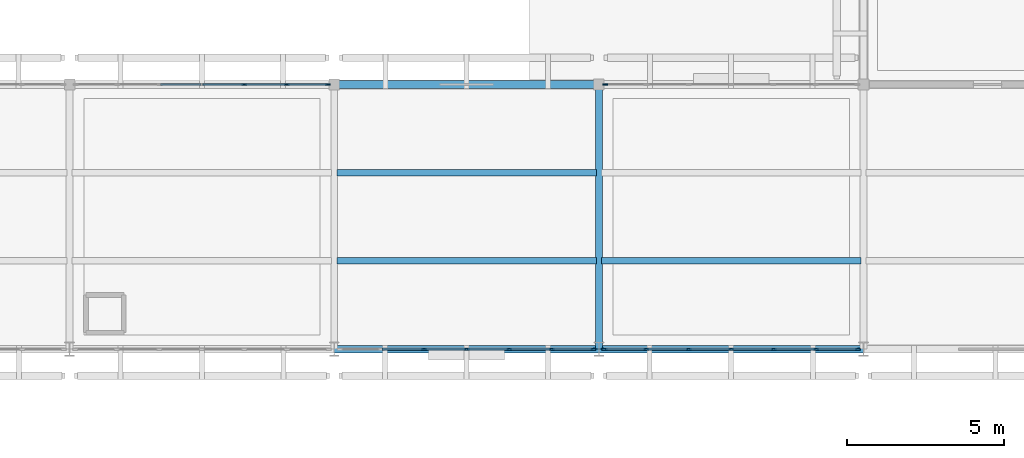
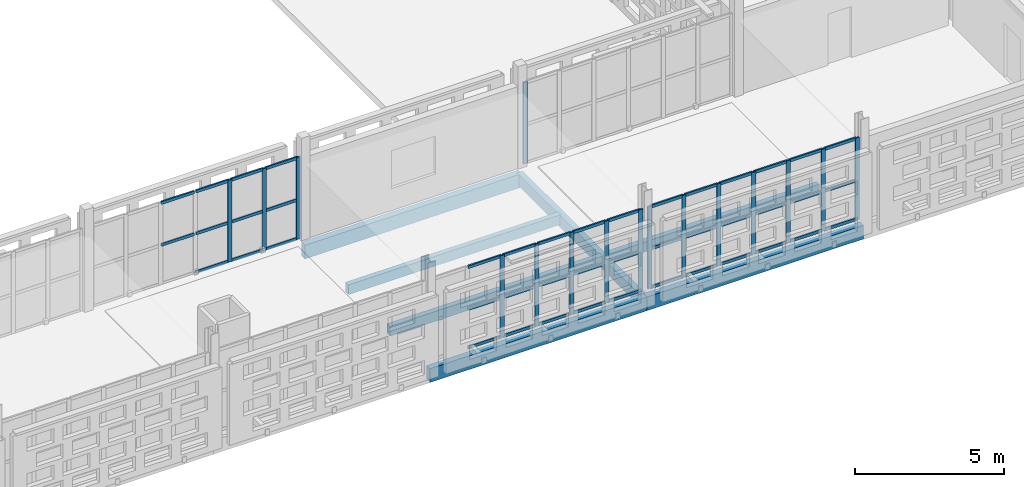
# One storey, part 56 of 140: 60 members, 7 beams, 4 elements without a shape of their own.
"""IFC4 building model written with IfcOpenShell, lengths in metres."""

import ifcopenshell
import ifcopenshell.guid

model = None  # the IFC model being written
_history = None  # IfcOwnerHistory: only IFC2X3 demands one
_inside = {}  # id of a spatial element -> (the spatial element, [elements in it])
_under = {}  # id of a project, library or spatial element -> (it, [spatial elements below it])
_declared = {}  # id of a project -> (the project, [libraries it declares])
_typed = {}  # id of a type object -> (the type object, [elements of that type])
_made_of = {}  # id of a material, layer set ... -> (it, [elements and type objects made of it])


def new_model(schema):
    """Start an empty IFC model of exactly this schema.

    Asked for "IFC4X3", IfcOpenShell would pick the latest addendum, in which some entities
    have other attributes; the version numbers below select the first issue.
    IFC2X3 requires an IfcOwnerHistory on every rooted entity: one is made here for all.
    """
    global model, _history
    if schema == "IFC4X3":
        model = ifcopenshell.file(schema_version=(4, 3, 0, 0))
    else:
        model = ifcopenshell.file(schema=schema)
    _inside.clear()
    _under.clear()
    _declared.clear()
    _typed.clear()
    _made_of.clear()
    _history = None
    if model.schema == "IFC2X3":
        org = make("IfcOrganization", Name="unknown")
        user = make(
            "IfcPersonAndOrganization",
            ThePerson=make("IfcPerson", FamilyName="unknown"),
            TheOrganization=org,
        )
        app = make(
            "IfcApplication",
            ApplicationDeveloper=org,
            Version="unknown",
            ApplicationFullName="unknown",
            ApplicationIdentifier="unknown",
        )
        _history = make(
            "IfcOwnerHistory",
            OwningUser=user,
            OwningApplication=app,
            ChangeAction="ADDED",
            CreationDate=0,
        )
    return model


def make(cls, **values):
    """One entity of the class cls with the attributes given. An attribute that is None is left unset."""
    return model.create_entity(
        cls, **{name: value for name, value in values.items() if value is not None}
    )


def rooted(cls, **values):
    """An entity with a GlobalId (a new one), such as an element, a storey or a relation."""
    return make(cls, GlobalId=ifcopenshell.guid.new(), OwnerHistory=_history, **values)


def si_unit(unit_type, name, prefix=None):
    """IfcSIUnit, for example si_unit("LENGTHUNIT", "METRE", prefix="MILLI")."""
    return make("IfcSIUnit", UnitType=unit_type, Prefix=prefix, Name=name)


def assignment(units):
    """IfcUnitAssignment: the units of a project."""
    return None if units is None else make("IfcUnitAssignment", Units=units)


def point(xyz):
    """IfcCartesianPoint."""
    return None if xyz is None else make("IfcCartesianPoint", Coordinates=xyz)


def direction(xyz):
    """IfcDirection."""
    return None if xyz is None else make("IfcDirection", DirectionRatios=xyz)


def frame(location, z_axis=None, x_axis=None):
    """IfcAxis2Placement3D, a coordinate frame: its origin and axes. An axis left out is left unset."""
    return make(
        "IfcAxis2Placement3D",
        Location=point(location),
        Axis=direction(z_axis),
        RefDirection=direction(x_axis),
    )


def frame_2d(location, x_axis=None):
    """IfcAxis2Placement2D, a coordinate frame in the plane: its origin and x axis."""
    return make(
        "IfcAxis2Placement2D", Location=point(location), RefDirection=direction(x_axis)
    )


def origin():
    """The frame at (0, 0, 0) with its axes left unset."""
    return frame((0.0, 0.0, 0.0))


def origin_2d():
    """The frame at (0, 0) in the plane with its x axis left unset."""
    return frame_2d((0.0, 0.0))


def place(relative_to, where):
    """IfcLocalPlacement: puts the frame where relative to a parent placement (None: the world)."""
    return make(
        "IfcLocalPlacement", PlacementRelTo=relative_to, RelativePlacement=where
    )


def context(
    kind, dimensions, precision=None, world=None, true_north=None, identifier=None
):
    """IfcGeometricRepresentationContext, for example the 3D "Model" context."""
    return make(
        "IfcGeometricRepresentationContext",
        ContextIdentifier=identifier,
        ContextType=kind,
        CoordinateSpaceDimension=dimensions,
        Precision=precision,
        WorldCoordinateSystem=world,
        TrueNorth=true_north,
    )


def subcontext(parent, identifier, kind, view, scale=None):
    """IfcGeometricRepresentationSubContext, for example "Body" below "Model"."""
    return make(
        "IfcGeometricRepresentationSubContext",
        ContextIdentifier=identifier,
        ContextType=kind,
        ParentContext=parent,
        TargetScale=scale,
        TargetView=view,
    )


def project(units=None, contexts=None):
    """IfcProject with its units and contexts."""
    return rooted(
        "IfcProject",
        Name="project",
        RepresentationContexts=contexts,
        UnitsInContext=assignment(units),
    )


def spatial(cls, under=None, at=None, **own):
    """A site, building, storey or space (cls), placed at a placement, below another one or the project."""
    s = rooted(cls, ObjectPlacement=at, **own)
    if under is not None:
        _under.setdefault(under.id(), (under, []))[1].append(s)
    return s


def profile(cls, at=None, kind="AREA", **sizes):
    """A parametric profile (cls). Its sizes go by their IFC names, for example OverallWidth=200.0."""
    return make(cls, ProfileType=kind, Position=at, **sizes)


def rectangle(**sizes):
    """IfcRectangleProfileDef."""
    return profile("IfcRectangleProfileDef", **sizes)


def extrude(swept, where, along, depth):
    """IfcExtrudedAreaSolid: the profile swept, set in the frame where, extruded along a direction by depth."""
    return make(
        "IfcExtrudedAreaSolid",
        SweptArea=swept,
        Position=where,
        ExtrudedDirection=direction(along),
        Depth=depth,
    )


def shape(context_of_items, identifier, shape_type, items):
    """IfcShapeRepresentation: the items that make up one representation, for example the "Body"."""
    return make(
        "IfcShapeRepresentation",
        ContextOfItems=context_of_items,
        RepresentationIdentifier=identifier,
        RepresentationType=shape_type,
        Items=items,
    )


def material(Name=None, Category=None):
    """IfcMaterial."""
    return make("IfcMaterial", Name=Name, Category=Category)


def layer(
    of_material, thickness, ventilated=None, Name=None, Category=None, Priority=None
):
    """IfcMaterialLayer: one layer of a wall or slab, of a material (None: an air gap)."""
    return make(
        "IfcMaterialLayer",
        Material=of_material,
        LayerThickness=thickness,
        IsVentilated=ventilated,
        Name=Name,
        Category=Category,
        Priority=Priority,
    )


def layer_set(layers, Name=None):
    """IfcMaterialLayerSet."""
    return make("IfcMaterialLayerSet", MaterialLayers=layers, LayerSetName=Name)


def material_profile(
    of_material, cross_section, Name=None, Category=None, Priority=None
):
    """IfcMaterialProfile: a cross section and its material."""
    return make(
        "IfcMaterialProfile",
        Name=Name,
        Material=of_material,
        Profile=cross_section,
        Priority=Priority,
        Category=Category,
    )


def profile_set(profiles, Name=None, composite=None):
    """IfcMaterialProfileSet."""
    return make(
        "IfcMaterialProfileSet",
        Name=Name,
        MaterialProfiles=profiles,
        CompositeProfile=composite,
    )


def made_of(thing, what):
    """Note that an element or type object is made of a material, layer set ...; save() writes the relation."""
    if what is not None:
        _made_of.setdefault(what.id(), (what, []))[1].append(thing)
    return thing


def type_object(cls, material=None, **own):
    """A type object (cls), such as IfcWallType, which elements share."""
    return made_of(rooted(cls, **own), material)


def element(
    cls,
    number,
    at=None,
    inside=None,
    cuts=None,
    type_object=None,
    material=None,
    context=None,
    identifier="Body",
    shape_type=None,
    held_by="IfcProductDefinitionShape",
    body=None,
    shapes=None,
    **own,
):
    """One element of the class cls, such as IfcWall. Its Tag is "e" and its number.

    at: its placement. inside: the storey or other place that contains it. cuts: it is an
    opening in that element (IfcRelVoidsElement). A single representation is given by context,
    identifier, shape_type and body (its items); several are given by shapes. held_by: the class
    of the entity that holds the representations. save() writes the other relations.
    """
    e = rooted(cls, Tag="e%d" % number, ObjectPlacement=at, **own)
    if body is not None:
        shapes = [shape(context, identifier, shape_type, body)]
    if shapes is not None:
        e.Representation = make(held_by, Representations=shapes)
    if inside is not None:
        _inside.setdefault(inside.id(), (inside, []))[1].append(e)
    if cuts is not None:
        rooted(
            "IfcRelVoidsElement", RelatingBuildingElement=cuts, RelatedOpeningElement=e
        )
    if type_object is not None:
        _typed.setdefault(type_object.id(), (type_object, []))[1].append(e)
    return made_of(e, material)


def aggregate(whole, parts):
    """IfcRelAggregates: a whole, such as a stair, and the parts it consists of."""
    return rooted("IfcRelAggregates", RelatingObject=whole, RelatedObjects=parts)


def save(model, path):
    """Write the relations noted so far, then the file.

    IfcRelAggregates (storeys below a building ...), IfcRelContainedInSpatialStructure (elements
    in a storey), IfcRelDefinesByType, IfcRelAssociatesMaterial and IfcRelDeclares: one each for
    every whole, place, type object, material and project.
    """
    for whole, parts in _under.values():
        aggregate(whole, parts)
    for where, things in _inside.values():
        rooted(
            "IfcRelContainedInSpatialStructure",
            RelatedElements=things,
            RelatingStructure=where,
        )
    for kind, things in _typed.values():
        rooted("IfcRelDefinesByType", RelatedObjects=things, RelatingType=kind)
    for what, things in _made_of.values():
        rooted("IfcRelAssociatesMaterial", RelatedObjects=things, RelatingMaterial=what)
    for by, libraries in _declared.values():
        rooted("IfcRelDeclares", RelatingContext=by, RelatedDefinitions=libraries)
    model.write(path)


model = new_model("IFC4")

# Units and contexts
model_context = context("Model", 3, precision=1e-05, world=origin(), true_north=direction((0.0, 1.0)))
body_context = subcontext(model_context, "Body", "Model", "MODEL_VIEW")
ifc_project = project(units=[si_unit("LENGTHUNIT", "METRE"), si_unit("AREAUNIT", "SQUARE_METRE"), si_unit("VOLUMEUNIT", "CUBIC_METRE"), si_unit("PLANEANGLEUNIT", "RADIAN"), si_unit("MASSUNIT", "GRAM", prefix="KILO")], contexts=[model_context])

# Site, building, storey
site_placement = place(None, origin())
site = spatial("IfcSite", under=ifc_project, at=site_placement, CompositionType="ELEMENT")
building_placement = place(site_placement, origin())
building = spatial("IfcBuilding", under=site, at=building_placement, Name="Varnapada Polytechnic", CompositionType="ELEMENT")
storey_placement = place(building_placement, frame((0.0, 0.0, 13.800048828125)))
storey = spatial("IfcBuildingStorey", under=building, at=storey_placement, Name="L03", CompositionType="ELEMENT", Elevation=13.800048828125)

# Beams
ifc_material_1 = material(Name="Glulam GL32h", Category="wood")
ifc_material_profile_1 = material_profile(ifc_material_1, rectangle(XDim=0.199951171875, YDim=0.39990234375, at=origin_2d()), Name="GL 200x400")
ifc_profile_set_1 = profile_set([ifc_material_profile_1], Name="Glulam GL32h")
beam_type_1 = type_object("IfcBeamType", Name="Library/laboratory glulam floor joist GJ-01 (GL 200x400)", PredefinedType="JOIST", material=ifc_profile_set_1)
for number, where, z_axis, x_axis, name in (
    (1, (109.280029296875, 86.800048828125, -0.43994140625), (1.0, 0.0, 0.0), (0.0, 1.0, 0.0), "L03 floor joist 14/11.1"),
    (2, (109.280029296875, 89.60009765625, -0.43994140625), (1.0, 0.0, 0.0), (0.0, 1.0, 0.0), "L03 floor joist 14/11.2"),
    (3, (117.679931640625, 86.800048828125, -0.43994140625), (1.0, 0.0, 0.0), (0.0, 1.0, 0.0), "L03 floor joist 15/11.1"),
):
    element("IfcBeam", number, at=place(storey_placement, frame(where, z_axis=z_axis, x_axis=x_axis)), inside=storey, type_object=beam_type_1, Name=name, PredefinedType="JOIST", context=body_context, shape_type="SweptSolid", body=[
        extrude(rectangle(XDim=0.199951171875, YDim=0.39990234375, at=origin_2d()), origin(), (0.0, 0.0, 1.0), 8.239990234375),
    ])

# Curtain wall, members
ifc_material_2 = material(Name="Double low-E laminated glass", Category="glass")
ifc_layer_1 = layer(ifc_material_2, 0.159912109375)
ifc_layer_set_1 = layer_set([ifc_layer_1], Name="Double low-E laminated glass")
curtain_wall_type_1 = type_object("IfcCurtainWallType", Name="Curtain Wall CW-02", PredefinedType="NOTDEFINED", material=ifc_layer_set_1)
curtain_wall_1_placement = place(storey_placement, origin())
curtain_wall_1 = element("IfcCurtainWall", 4, at=curtain_wall_1_placement, inside=storey, type_object=curtain_wall_type_1, Name="L03 unitised curtain wall CW-02 (242)", PredefinedType="NOTDEFINED")
ifc_material_3 = material(Name="Anodised aluminium", Category="aluminium")
ifc_material_profile_2 = material_profile(ifc_material_3, rectangle(XDim=0.06005859375, YDim=0.159912109375, at=origin_2d()), Name="ALU M60x160")
ifc_profile_set_2 = profile_set([ifc_material_profile_2], Name="Anodised aluminium")
member_type_1 = type_object("IfcMemberType", Name="Mullion M-01", PredefinedType="MULLION", material=ifc_profile_set_2)
member_1_placement = place(storey_placement, frame((106.34326171875, 92.39990234375, 0.0), z_axis=(0.0, 0.0, 1.0), x_axis=(0.0, 1.0, 0.0)))
member_1 = element("IfcMember", 5, at=member_1_placement, type_object=member_type_1, Name="CW-02 mullion 5", PredefinedType="MULLION", context=body_context, shape_type="SweptSolid", body=[
    extrude(rectangle(XDim=0.06005859375, YDim=0.159912109375, at=origin_2d()), origin(), (0.0, 0.0, 1.0), 3.35986328125),
])
member_2_placement = place(storey_placement, frame((107.686767578125, 92.39990234375, 0.0), z_axis=(0.0, 0.0, 1.0), x_axis=(0.0, 1.0, 0.0)))
member_2 = element("IfcMember", 6, at=member_2_placement, type_object=member_type_1, Name="CW-02 mullion 6", PredefinedType="MULLION", context=body_context, shape_type="SweptSolid", body=[
    extrude(rectangle(XDim=0.06005859375, YDim=0.159912109375, at=origin_2d()), origin(), (0.0, 0.0, 1.0), 3.35986328125),
])
member_3_placement = place(storey_placement, frame((109.0, 92.39990234375, 0.0), z_axis=(0.0, 0.0, 1.0), x_axis=(0.0, 1.0, 0.0)))
member_3 = element("IfcMember", 7, at=member_3_placement, type_object=member_type_1, Name="CW-02 mullion 7", PredefinedType="MULLION", context=body_context, shape_type="SweptSolid", body=[
    extrude(rectangle(XDim=0.06005859375, YDim=0.159912109375, at=origin_2d()), origin(), (0.0, 0.0, 1.0), 3.35986328125),
])

ifc_layer_2 = layer(ifc_material_2, 0.159912109375)
ifc_layer_set_2 = layer_set([ifc_layer_2], Name="Double low-E laminated glass")
curtain_wall_type_2 = type_object("IfcCurtainWallType", Name="Curtain Wall CW-01", PredefinedType="NOTDEFINED", material=ifc_layer_set_2)
curtain_wall_2_placement = place(storey_placement, origin())
curtain_wall_2 = element("IfcCurtainWall", 8, at=curtain_wall_2_placement, inside=storey, type_object=curtain_wall_type_2, Name="L03 unitised curtain wall CW-01 (243)", PredefinedType="NOTDEFINED")
member_4_placement = place(storey_placement, frame((117.419921875, 84.0, 0.0), z_axis=(0.0, 0.0, 1.0), x_axis=(0.0, -1.0, 0.0)))
member_4 = element("IfcMember", 9, at=member_4_placement, type_object=member_type_1, Name="CW-01 mullion 1", PredefinedType="MULLION", context=body_context, shape_type="SweptSolid", body=[
    extrude(rectangle(XDim=0.06005859375, YDim=0.159912109375, at=origin_2d()), origin(), (0.0, 0.0, 1.0), 3.35986328125),
])
member_5_placement = place(storey_placement, frame((116.10009765625, 84.0, 0.0), z_axis=(0.0, 0.0, 1.0), x_axis=(0.0, -1.0, 0.0)))
member_5 = element("IfcMember", 10, at=member_5_placement, type_object=member_type_1, Name="CW-01 mullion 2", PredefinedType="MULLION", context=body_context, shape_type="SweptSolid", body=[
    extrude(rectangle(XDim=0.06005859375, YDim=0.159912109375, at=origin_2d()), origin(), (0.0, 0.0, 1.0), 3.35986328125),
])
member_6_placement = place(storey_placement, frame((114.75, 84.0, 0.0), z_axis=(0.0, 0.0, 1.0), x_axis=(0.0, -1.0, 0.0)))
member_6 = element("IfcMember", 11, at=member_6_placement, type_object=member_type_1, Name="CW-01 mullion 3", PredefinedType="MULLION", context=body_context, shape_type="SweptSolid", body=[
    extrude(rectangle(XDim=0.06005859375, YDim=0.159912109375, at=origin_2d()), origin(), (0.0, 0.0, 1.0), 3.35986328125),
])
member_7_placement = place(storey_placement, frame((113.39990234375, 84.0, 0.0), z_axis=(0.0, 0.0, 1.0), x_axis=(0.0, -1.0, 0.0)))
member_7 = element("IfcMember", 12, at=member_7_placement, type_object=member_type_1, Name="CW-01 mullion 4", PredefinedType="MULLION", context=body_context, shape_type="SweptSolid", body=[
    extrude(rectangle(XDim=0.06005859375, YDim=0.159912109375, at=origin_2d()), origin(), (0.0, 0.0, 1.0), 3.35986328125),
])
member_8_placement = place(storey_placement, frame((112.050048828125, 84.0, 0.0), z_axis=(0.0, 0.0, 1.0), x_axis=(0.0, -1.0, 0.0)))
member_8 = element("IfcMember", 13, at=member_8_placement, type_object=member_type_1, Name="CW-01 mullion 5", PredefinedType="MULLION", context=body_context, shape_type="SweptSolid", body=[
    extrude(rectangle(XDim=0.06005859375, YDim=0.159912109375, at=origin_2d()), origin(), (0.0, 0.0, 1.0), 3.35986328125),
])

curtain_wall_3_placement = place(storey_placement, origin())
curtain_wall_3 = element("IfcCurtainWall", 14, at=curtain_wall_3_placement, inside=storey, type_object=curtain_wall_type_2, Name="L03 unitised curtain wall CW-01 (244)", PredefinedType="NOTDEFINED")
member_9_placement = place(storey_placement, frame((125.820068359375, 84.0, 0.0), z_axis=(0.0, 0.0, 1.0), x_axis=(0.0, -1.0, 0.0)))
member_9 = element("IfcMember", 15, at=member_9_placement, type_object=member_type_1, Name="CW-01 mullion 1", PredefinedType="MULLION", context=body_context, shape_type="SweptSolid", body=[
    extrude(rectangle(XDim=0.06005859375, YDim=0.159912109375, at=origin_2d()), origin(), (0.0, 0.0, 1.0), 3.35986328125),
])
member_10_placement = place(storey_placement, frame((124.5, 84.0, 0.0), z_axis=(0.0, 0.0, 1.0), x_axis=(0.0, -1.0, 0.0)))
member_10 = element("IfcMember", 16, at=member_10_placement, type_object=member_type_1, Name="CW-01 mullion 2", PredefinedType="MULLION", context=body_context, shape_type="SweptSolid", body=[
    extrude(rectangle(XDim=0.06005859375, YDim=0.159912109375, at=origin_2d()), origin(), (0.0, 0.0, 1.0), 3.35986328125),
])
member_11_placement = place(storey_placement, frame((123.14990234375, 84.0, 0.0), z_axis=(0.0, 0.0, 1.0), x_axis=(0.0, -1.0, 0.0)))
member_11 = element("IfcMember", 17, at=member_11_placement, type_object=member_type_1, Name="CW-01 mullion 3", PredefinedType="MULLION", context=body_context, shape_type="SweptSolid", body=[
    extrude(rectangle(XDim=0.06005859375, YDim=0.159912109375, at=origin_2d()), origin(), (0.0, 0.0, 1.0), 3.35986328125),
])
member_12_placement = place(storey_placement, frame((121.800048828125, 84.0, 0.0), z_axis=(0.0, 0.0, 1.0), x_axis=(0.0, -1.0, 0.0)))
member_12 = element("IfcMember", 18, at=member_12_placement, type_object=member_type_1, Name="CW-01 mullion 4", PredefinedType="MULLION", context=body_context, shape_type="SweptSolid", body=[
    extrude(rectangle(XDim=0.06005859375, YDim=0.159912109375, at=origin_2d()), origin(), (0.0, 0.0, 1.0), 3.35986328125),
])
member_13_placement = place(storey_placement, frame((120.449951171875, 84.0, 0.0), z_axis=(0.0, 0.0, 1.0), x_axis=(0.0, -1.0, 0.0)))
member_13 = element("IfcMember", 19, at=member_13_placement, type_object=member_type_1, Name="CW-01 mullion 5", PredefinedType="MULLION", context=body_context, shape_type="SweptSolid", body=[
    extrude(rectangle(XDim=0.06005859375, YDim=0.159912109375, at=origin_2d()), origin(), (0.0, 0.0, 1.0), 3.35986328125),
])
member_14_placement = place(storey_placement, frame((119.10009765625, 84.0, 0.0), z_axis=(0.0, 0.0, 1.0), x_axis=(0.0, -1.0, 0.0)))
member_14 = element("IfcMember", 20, at=member_14_placement, type_object=member_type_1, Name="CW-01 mullion 6", PredefinedType="MULLION", context=body_context, shape_type="SweptSolid", body=[
    extrude(rectangle(XDim=0.06005859375, YDim=0.159912109375, at=origin_2d()), origin(), (0.0, 0.0, 1.0), 3.35986328125),
])
member_15_placement = place(storey_placement, frame((117.780029296875, 84.0, 0.0), z_axis=(0.0, 0.0, 1.0), x_axis=(0.0, -1.0, 0.0)))
member_15 = element("IfcMember", 21, at=member_15_placement, type_object=member_type_1, Name="CW-01 mullion 7", PredefinedType="MULLION", context=body_context, shape_type="SweptSolid", body=[
    extrude(rectangle(XDim=0.06005859375, YDim=0.159912109375, at=origin_2d()), origin(), (0.0, 0.0, 1.0), 3.35986328125),
])

# Curtain wall, member
curtain_wall_4_placement = place(storey_placement, origin())
curtain_wall_4 = element("IfcCurtainWall", 22, at=curtain_wall_4_placement, inside=storey, type_object=curtain_wall_type_1, Name="L03 unitised curtain wall CW-02 (245)", PredefinedType="NOTDEFINED")
member_16_placement = place(storey_placement, frame((117.800048828125, 92.39990234375, 0.0), z_axis=(0.0, 0.0, 1.0), x_axis=(0.0, 1.0, 0.0)))
member_16 = element("IfcMember", 23, at=member_16_placement, type_object=member_type_1, Name="CW-02 mullion 1", PredefinedType="MULLION", context=body_context, shape_type="SweptSolid", body=[
    extrude(rectangle(XDim=0.06005859375, YDim=0.159912109375, at=origin_2d()), origin(), (0.0, 0.0, 1.0), 3.35986328125),
])
aggregate(curtain_wall_4, [member_16])

# Beams
ifc_material_profile_3 = material_profile(ifc_material_1, rectangle(XDim=0.239990234375, YDim=0.56005859375, at=origin_2d()), Name="GL 240x560")
ifc_profile_set_3 = profile_set([ifc_material_profile_3], Name="Glulam GL32h")
beam_type_2 = type_object("IfcBeamType", Name="Perimeter glulam spandrel beam SP-02 (GL 240x560)", PredefinedType="SPANDREL", material=ifc_profile_set_3)
for number, where, z_axis, x_axis, name in (
    (24, (109.199951171875, 84.0, -0.52001953125), (1.0, 0.0, 0.0), (0.0, 1.0, 0.0), "L03 beam X 14-15 at Y11"),
    (25, (109.199951171875, 92.39990234375, -0.550048828125), (1.0, 0.0, 0.0), (0.0, 1.0, 0.0), "L03 beam X 14-15 at Y12"),
):
    element("IfcBeam", number, at=place(storey_placement, frame(where, z_axis=z_axis, x_axis=x_axis)), inside=storey, type_object=beam_type_2, Name=name, PredefinedType="SPANDREL", context=body_context, shape_type="SweptSolid", body=[
        extrude(rectangle(XDim=0.239990234375, YDim=0.56005859375, at=origin_2d()), origin(), (0.0, 0.0, 1.0), 8.400146484375),
    ])
beam_1_placement = place(storey_placement, frame((117.60009765625, 84.0, -0.52001953125), z_axis=(1.0, 0.0, 0.0), x_axis=(0.0, 1.0, 0.0)))
element("IfcBeam", 26, at=beam_1_placement, inside=storey, type_object=beam_type_2, Name="L03 beam X 15-16 at Y11", PredefinedType="SPANDREL", context=body_context, shape_type="SweptSolid", body=[
    extrude(rectangle(XDim=0.239990234375, YDim=0.56005859375, at=origin_2d()), origin(), (0.0, 0.0, 1.0), 8.39990234375),
])

# Member
ifc_material_profile_4 = material_profile(ifc_material_3, rectangle(XDim=0.06005859375, YDim=0.1201171875, at=origin_2d()), Name="ALU T60x120")
ifc_profile_set_4 = profile_set([ifc_material_profile_4], Name="Anodised aluminium")
member_type_2 = type_object("IfcMemberType", Name="Transom T-01", PredefinedType="USERDEFINED", material=ifc_profile_set_4)
member_17_placement = place(storey_placement, frame((103.686767578125, 92.39990234375, 1.61279296875), z_axis=(1.0, 0.0, 0.0), x_axis=(0.0, 1.0, 0.0)))
member_17 = element("IfcMember", 27, at=member_17_placement, type_object=member_type_2, Name="CW-02 transom 3.2", ObjectType="TRANSOM", PredefinedType="USERDEFINED", context=body_context, shape_type="SweptSolid", body=[
    extrude(rectangle(XDim=0.06005859375, YDim=0.1201171875, at=origin_2d()), origin(), (0.0, 0.0, 1.0), 1.283203125),
])

member_18_placement = place(storey_placement, frame((103.686767578125, 92.39990234375, 3.329833984375), z_axis=(1.0, 0.0, 0.0), x_axis=(0.0, 1.0, 0.0)))
member_18 = element("IfcMember", 28, at=member_18_placement, type_object=member_type_2, Name="CW-02 transom 3.3", ObjectType="TRANSOM", PredefinedType="USERDEFINED", context=body_context, shape_type="SweptSolid", body=[
    extrude(rectangle(XDim=0.06005859375, YDim=0.1201171875, at=origin_2d()), origin(), (0.0, 0.0, 1.0), 1.283203125),
])

member_19_placement = place(storey_placement, frame((105.030029296875, 92.39990234375, 0.030029296875), z_axis=(1.0, 0.0, 0.0), x_axis=(0.0, 1.0, 0.0)))
member_19 = element("IfcMember", 29, at=member_19_placement, type_object=member_type_2, Name="CW-02 transom 4.1", ObjectType="TRANSOM", PredefinedType="USERDEFINED", context=body_context, shape_type="SweptSolid", body=[
    extrude(rectangle(XDim=0.06005859375, YDim=0.1201171875, at=origin_2d()), origin(), (0.0, 0.0, 1.0), 1.283203125),
])

member_20_placement = place(storey_placement, frame((105.030029296875, 92.39990234375, 1.61279296875), z_axis=(1.0, 0.0, 0.0), x_axis=(0.0, 1.0, 0.0)))
member_20 = element("IfcMember", 30, at=member_20_placement, type_object=member_type_2, Name="CW-02 transom 4.2", ObjectType="TRANSOM", PredefinedType="USERDEFINED", context=body_context, shape_type="SweptSolid", body=[
    extrude(rectangle(XDim=0.06005859375, YDim=0.1201171875, at=origin_2d()), origin(), (0.0, 0.0, 1.0), 1.283203125),
])

member_21_placement = place(storey_placement, frame((105.030029296875, 92.39990234375, 3.329833984375), z_axis=(1.0, 0.0, 0.0), x_axis=(0.0, 1.0, 0.0)))
member_21 = element("IfcMember", 31, at=member_21_placement, type_object=member_type_2, Name="CW-02 transom 4.3", ObjectType="TRANSOM", PredefinedType="USERDEFINED", context=body_context, shape_type="SweptSolid", body=[
    extrude(rectangle(XDim=0.06005859375, YDim=0.1201171875, at=origin_2d()), origin(), (0.0, 0.0, 1.0), 1.283203125),
])

member_22_placement = place(storey_placement, frame((106.373291015625, 92.39990234375, 0.030029296875), z_axis=(1.0, 0.0, 0.0), x_axis=(0.0, 1.0, 0.0)))
member_22 = element("IfcMember", 32, at=member_22_placement, type_object=member_type_2, Name="CW-02 transom 5.1", ObjectType="TRANSOM", PredefinedType="USERDEFINED", context=body_context, shape_type="SweptSolid", body=[
    extrude(rectangle(XDim=0.06005859375, YDim=0.1201171875, at=origin_2d()), origin(), (0.0, 0.0, 1.0), 1.283447265625),
])

member_23_placement = place(storey_placement, frame((106.373291015625, 92.39990234375, 1.61279296875), z_axis=(1.0, 0.0, 0.0), x_axis=(0.0, 1.0, 0.0)))
member_23 = element("IfcMember", 33, at=member_23_placement, type_object=member_type_2, Name="CW-02 transom 5.2", ObjectType="TRANSOM", PredefinedType="USERDEFINED", context=body_context, shape_type="SweptSolid", body=[
    extrude(rectangle(XDim=0.06005859375, YDim=0.1201171875, at=origin_2d()), origin(), (0.0, 0.0, 1.0), 1.283447265625),
])

member_24_placement = place(storey_placement, frame((106.373291015625, 92.39990234375, 3.329833984375), z_axis=(1.0, 0.0, 0.0), x_axis=(0.0, 1.0, 0.0)))
member_24 = element("IfcMember", 34, at=member_24_placement, type_object=member_type_2, Name="CW-02 transom 5.3", ObjectType="TRANSOM", PredefinedType="USERDEFINED", context=body_context, shape_type="SweptSolid", body=[
    extrude(rectangle(XDim=0.06005859375, YDim=0.1201171875, at=origin_2d()), origin(), (0.0, 0.0, 1.0), 1.283447265625),
])

member_25_placement = place(storey_placement, frame((107.716552734375, 92.39990234375, 0.030029296875), z_axis=(1.0, 0.0, 0.0), x_axis=(0.0, 1.0, 0.0)))
member_25 = element("IfcMember", 35, at=member_25_placement, type_object=member_type_2, Name="CW-02 transom 6.1", ObjectType="TRANSOM", PredefinedType="USERDEFINED", context=body_context, shape_type="SweptSolid", body=[
    extrude(rectangle(XDim=0.06005859375, YDim=0.1201171875, at=origin_2d()), origin(), (0.0, 0.0, 1.0), 1.25341796875),
])

member_26_placement = place(storey_placement, frame((107.716552734375, 92.39990234375, 1.61279296875), z_axis=(1.0, 0.0, 0.0), x_axis=(0.0, 1.0, 0.0)))
member_26 = element("IfcMember", 36, at=member_26_placement, type_object=member_type_2, Name="CW-02 transom 6.2", ObjectType="TRANSOM", PredefinedType="USERDEFINED", context=body_context, shape_type="SweptSolid", body=[
    extrude(rectangle(XDim=0.06005859375, YDim=0.1201171875, at=origin_2d()), origin(), (0.0, 0.0, 1.0), 1.25341796875),
])

member_27_placement = place(storey_placement, frame((107.716552734375, 92.39990234375, 3.329833984375), z_axis=(1.0, 0.0, 0.0), x_axis=(0.0, 1.0, 0.0)))
member_27 = element("IfcMember", 37, at=member_27_placement, type_object=member_type_2, Name="CW-02 transom 6.3", ObjectType="TRANSOM", PredefinedType="USERDEFINED", context=body_context, shape_type="SweptSolid", body=[
    extrude(rectangle(XDim=0.06005859375, YDim=0.1201171875, at=origin_2d()), origin(), (0.0, 0.0, 1.0), 1.25341796875),
])

aggregate(curtain_wall_1, [member_1, member_2, member_3, member_17, member_18, member_19, member_20, member_21, member_22, member_23, member_24, member_25, member_26, member_27])

member_28_placement = place(storey_placement, frame((117.389892578125, 84.0, 0.030029296875), z_axis=(-1.0, 0.0, 0.0), x_axis=(0.0, -1.0, 0.0)))
member_28 = element("IfcMember", 38, at=member_28_placement, type_object=member_type_2, Name="CW-01 transom 1.1", ObjectType="TRANSOM", PredefinedType="USERDEFINED", context=body_context, shape_type="SweptSolid", body=[
    extrude(rectangle(XDim=0.06005859375, YDim=0.1201171875, at=origin_2d()), origin(), (0.0, 0.0, 1.0), 1.260009765625),
])

member_29_placement = place(storey_placement, frame((117.389892578125, 84.0, 1.61279296875), z_axis=(-1.0, 0.0, 0.0), x_axis=(0.0, -1.0, 0.0)))
member_29 = element("IfcMember", 39, at=member_29_placement, type_object=member_type_2, Name="CW-01 transom 1.2", ObjectType="TRANSOM", PredefinedType="USERDEFINED", context=body_context, shape_type="SweptSolid", body=[
    extrude(rectangle(XDim=0.06005859375, YDim=0.1201171875, at=origin_2d()), origin(), (0.0, 0.0, 1.0), 1.260009765625),
])

member_30_placement = place(storey_placement, frame((117.389892578125, 84.0, 3.329833984375), z_axis=(-1.0, 0.0, 0.0), x_axis=(0.0, -1.0, 0.0)))
member_30 = element("IfcMember", 40, at=member_30_placement, type_object=member_type_2, Name="CW-01 transom 1.3", ObjectType="TRANSOM", PredefinedType="USERDEFINED", context=body_context, shape_type="SweptSolid", body=[
    extrude(rectangle(XDim=0.06005859375, YDim=0.1201171875, at=origin_2d()), origin(), (0.0, 0.0, 1.0), 1.260009765625),
])

member_31_placement = place(storey_placement, frame((116.070068359375, 84.0, 0.030029296875), z_axis=(-1.0, 0.0, 0.0), x_axis=(0.0, -1.0, 0.0)))
member_31 = element("IfcMember", 41, at=member_31_placement, type_object=member_type_2, Name="CW-01 transom 2.1", ObjectType="TRANSOM", PredefinedType="USERDEFINED", context=body_context, shape_type="SweptSolid", body=[
    extrude(rectangle(XDim=0.06005859375, YDim=0.1201171875, at=origin_2d()), origin(), (0.0, 0.0, 1.0), 1.2900390625),
])

member_32_placement = place(storey_placement, frame((116.070068359375, 84.0, 1.61279296875), z_axis=(-1.0, 0.0, 0.0), x_axis=(0.0, -1.0, 0.0)))
member_32 = element("IfcMember", 42, at=member_32_placement, type_object=member_type_2, Name="CW-01 transom 2.2", ObjectType="TRANSOM", PredefinedType="USERDEFINED", context=body_context, shape_type="SweptSolid", body=[
    extrude(rectangle(XDim=0.06005859375, YDim=0.1201171875, at=origin_2d()), origin(), (0.0, 0.0, 1.0), 1.2900390625),
])

member_33_placement = place(storey_placement, frame((116.070068359375, 84.0, 3.329833984375), z_axis=(-1.0, 0.0, 0.0), x_axis=(0.0, -1.0, 0.0)))
member_33 = element("IfcMember", 43, at=member_33_placement, type_object=member_type_2, Name="CW-01 transom 2.3", ObjectType="TRANSOM", PredefinedType="USERDEFINED", context=body_context, shape_type="SweptSolid", body=[
    extrude(rectangle(XDim=0.06005859375, YDim=0.1201171875, at=origin_2d()), origin(), (0.0, 0.0, 1.0), 1.2900390625),
])

member_34_placement = place(storey_placement, frame((114.719970703125, 84.0, 0.030029296875), z_axis=(-1.0, 0.0, 0.0), x_axis=(0.0, -1.0, 0.0)))
member_34 = element("IfcMember", 44, at=member_34_placement, type_object=member_type_2, Name="CW-01 transom 3.1", ObjectType="TRANSOM", PredefinedType="USERDEFINED", context=body_context, shape_type="SweptSolid", body=[
    extrude(rectangle(XDim=0.06005859375, YDim=0.1201171875, at=origin_2d()), origin(), (0.0, 0.0, 1.0), 1.2900390625),
])

member_35_placement = place(storey_placement, frame((114.719970703125, 84.0, 1.61279296875), z_axis=(-1.0, 0.0, 0.0), x_axis=(0.0, -1.0, 0.0)))
member_35 = element("IfcMember", 45, at=member_35_placement, type_object=member_type_2, Name="CW-01 transom 3.2", ObjectType="TRANSOM", PredefinedType="USERDEFINED", context=body_context, shape_type="SweptSolid", body=[
    extrude(rectangle(XDim=0.06005859375, YDim=0.1201171875, at=origin_2d()), origin(), (0.0, 0.0, 1.0), 1.2900390625),
])

member_36_placement = place(storey_placement, frame((114.719970703125, 84.0, 3.329833984375), z_axis=(-1.0, 0.0, 0.0), x_axis=(0.0, -1.0, 0.0)))
member_36 = element("IfcMember", 46, at=member_36_placement, type_object=member_type_2, Name="CW-01 transom 3.3", ObjectType="TRANSOM", PredefinedType="USERDEFINED", context=body_context, shape_type="SweptSolid", body=[
    extrude(rectangle(XDim=0.06005859375, YDim=0.1201171875, at=origin_2d()), origin(), (0.0, 0.0, 1.0), 1.2900390625),
])

member_37_placement = place(storey_placement, frame((113.3701171875, 84.0, 0.030029296875), z_axis=(-1.0, 0.0, 0.0), x_axis=(0.0, -1.0, 0.0)))
member_37 = element("IfcMember", 47, at=member_37_placement, type_object=member_type_2, Name="CW-01 transom 4.1", ObjectType="TRANSOM", PredefinedType="USERDEFINED", context=body_context, shape_type="SweptSolid", body=[
    extrude(rectangle(XDim=0.06005859375, YDim=0.1201171875, at=origin_2d()), origin(), (0.0, 0.0, 1.0), 1.2900390625),
])

member_38_placement = place(storey_placement, frame((113.3701171875, 84.0, 1.61279296875), z_axis=(-1.0, 0.0, 0.0), x_axis=(0.0, -1.0, 0.0)))
member_38 = element("IfcMember", 48, at=member_38_placement, type_object=member_type_2, Name="CW-01 transom 4.2", ObjectType="TRANSOM", PredefinedType="USERDEFINED", context=body_context, shape_type="SweptSolid", body=[
    extrude(rectangle(XDim=0.06005859375, YDim=0.1201171875, at=origin_2d()), origin(), (0.0, 0.0, 1.0), 1.2900390625),
])

member_39_placement = place(storey_placement, frame((113.3701171875, 84.0, 3.329833984375), z_axis=(-1.0, 0.0, 0.0), x_axis=(0.0, -1.0, 0.0)))
member_39 = element("IfcMember", 49, at=member_39_placement, type_object=member_type_2, Name="CW-01 transom 4.3", ObjectType="TRANSOM", PredefinedType="USERDEFINED", context=body_context, shape_type="SweptSolid", body=[
    extrude(rectangle(XDim=0.06005859375, YDim=0.1201171875, at=origin_2d()), origin(), (0.0, 0.0, 1.0), 1.2900390625),
])

member_40_placement = place(storey_placement, frame((112.02001953125, 84.0, 0.030029296875), z_axis=(-1.0, 0.0, 0.0), x_axis=(0.0, -1.0, 0.0)))
member_40 = element("IfcMember", 50, at=member_40_placement, type_object=member_type_2, Name="CW-01 transom 5.1", ObjectType="TRANSOM", PredefinedType="USERDEFINED", context=body_context, shape_type="SweptSolid", body=[
    extrude(rectangle(XDim=0.06005859375, YDim=0.1201171875, at=origin_2d()), origin(), (0.0, 0.0, 1.0), 1.2900390625),
])

member_41_placement = place(storey_placement, frame((112.02001953125, 84.0, 1.61279296875), z_axis=(-1.0, 0.0, 0.0), x_axis=(0.0, -1.0, 0.0)))
member_41 = element("IfcMember", 51, at=member_41_placement, type_object=member_type_2, Name="CW-01 transom 5.2", ObjectType="TRANSOM", PredefinedType="USERDEFINED", context=body_context, shape_type="SweptSolid", body=[
    extrude(rectangle(XDim=0.06005859375, YDim=0.1201171875, at=origin_2d()), origin(), (0.0, 0.0, 1.0), 1.2900390625),
])

member_42_placement = place(storey_placement, frame((112.02001953125, 84.0, 3.329833984375), z_axis=(-1.0, 0.0, 0.0), x_axis=(0.0, -1.0, 0.0)))
member_42 = element("IfcMember", 52, at=member_42_placement, type_object=member_type_2, Name="CW-01 transom 5.3", ObjectType="TRANSOM", PredefinedType="USERDEFINED", context=body_context, shape_type="SweptSolid", body=[
    extrude(rectangle(XDim=0.06005859375, YDim=0.1201171875, at=origin_2d()), origin(), (0.0, 0.0, 1.0), 1.2900390625),
])

aggregate(curtain_wall_2, [member_4, member_5, member_6, member_7, member_8, member_28, member_29, member_30, member_31, member_32, member_33, member_34, member_35, member_36, member_37, member_38, member_39, member_40, member_41, member_42])

member_43_placement = place(storey_placement, frame((125.7900390625, 84.0, 0.030029296875), z_axis=(-1.0, 0.0, 0.0), x_axis=(0.0, -1.0, 0.0)))
member_43 = element("IfcMember", 53, at=member_43_placement, type_object=member_type_2, Name="CW-01 transom 1.1", ObjectType="TRANSOM", PredefinedType="USERDEFINED", context=body_context, shape_type="SweptSolid", body=[
    extrude(rectangle(XDim=0.06005859375, YDim=0.1201171875, at=origin_2d()), origin(), (0.0, 0.0, 1.0), 1.260009765625),
])

member_44_placement = place(storey_placement, frame((125.7900390625, 84.0, 1.61279296875), z_axis=(-1.0, 0.0, 0.0), x_axis=(0.0, -1.0, 0.0)))
member_44 = element("IfcMember", 54, at=member_44_placement, type_object=member_type_2, Name="CW-01 transom 1.2", ObjectType="TRANSOM", PredefinedType="USERDEFINED", context=body_context, shape_type="SweptSolid", body=[
    extrude(rectangle(XDim=0.06005859375, YDim=0.1201171875, at=origin_2d()), origin(), (0.0, 0.0, 1.0), 1.260009765625),
])

member_45_placement = place(storey_placement, frame((125.7900390625, 84.0, 3.329833984375), z_axis=(-1.0, 0.0, 0.0), x_axis=(0.0, -1.0, 0.0)))
member_45 = element("IfcMember", 55, at=member_45_placement, type_object=member_type_2, Name="CW-01 transom 1.3", ObjectType="TRANSOM", PredefinedType="USERDEFINED", context=body_context, shape_type="SweptSolid", body=[
    extrude(rectangle(XDim=0.06005859375, YDim=0.1201171875, at=origin_2d()), origin(), (0.0, 0.0, 1.0), 1.260009765625),
])

member_46_placement = place(storey_placement, frame((124.469970703125, 84.0, 0.030029296875), z_axis=(-1.0, 0.0, 0.0), x_axis=(0.0, -1.0, 0.0)))
member_46 = element("IfcMember", 56, at=member_46_placement, type_object=member_type_2, Name="CW-01 transom 2.1", ObjectType="TRANSOM", PredefinedType="USERDEFINED", context=body_context, shape_type="SweptSolid", body=[
    extrude(rectangle(XDim=0.06005859375, YDim=0.1201171875, at=origin_2d()), origin(), (0.0, 0.0, 1.0), 1.2900390625),
])

member_47_placement = place(storey_placement, frame((124.469970703125, 84.0, 1.61279296875), z_axis=(-1.0, 0.0, 0.0), x_axis=(0.0, -1.0, 0.0)))
member_47 = element("IfcMember", 57, at=member_47_placement, type_object=member_type_2, Name="CW-01 transom 2.2", ObjectType="TRANSOM", PredefinedType="USERDEFINED", context=body_context, shape_type="SweptSolid", body=[
    extrude(rectangle(XDim=0.06005859375, YDim=0.1201171875, at=origin_2d()), origin(), (0.0, 0.0, 1.0), 1.2900390625),
])

member_48_placement = place(storey_placement, frame((124.469970703125, 84.0, 3.329833984375), z_axis=(-1.0, 0.0, 0.0), x_axis=(0.0, -1.0, 0.0)))
member_48 = element("IfcMember", 58, at=member_48_placement, type_object=member_type_2, Name="CW-01 transom 2.3", ObjectType="TRANSOM", PredefinedType="USERDEFINED", context=body_context, shape_type="SweptSolid", body=[
    extrude(rectangle(XDim=0.06005859375, YDim=0.1201171875, at=origin_2d()), origin(), (0.0, 0.0, 1.0), 1.2900390625),
])

member_49_placement = place(storey_placement, frame((123.1201171875, 84.0, 0.030029296875), z_axis=(-1.0, 0.0, 0.0), x_axis=(0.0, -1.0, 0.0)))
member_49 = element("IfcMember", 59, at=member_49_placement, type_object=member_type_2, Name="CW-01 transom 3.1", ObjectType="TRANSOM", PredefinedType="USERDEFINED", context=body_context, shape_type="SweptSolid", body=[
    extrude(rectangle(XDim=0.06005859375, YDim=0.1201171875, at=origin_2d()), origin(), (0.0, 0.0, 1.0), 1.2900390625),
])

member_50_placement = place(storey_placement, frame((123.1201171875, 84.0, 1.61279296875), z_axis=(-1.0, 0.0, 0.0), x_axis=(0.0, -1.0, 0.0)))
member_50 = element("IfcMember", 60, at=member_50_placement, type_object=member_type_2, Name="CW-01 transom 3.2", ObjectType="TRANSOM", PredefinedType="USERDEFINED", context=body_context, shape_type="SweptSolid", body=[
    extrude(rectangle(XDim=0.06005859375, YDim=0.1201171875, at=origin_2d()), origin(), (0.0, 0.0, 1.0), 1.2900390625),
])

member_51_placement = place(storey_placement, frame((123.1201171875, 84.0, 3.329833984375), z_axis=(-1.0, 0.0, 0.0), x_axis=(0.0, -1.0, 0.0)))
member_51 = element("IfcMember", 61, at=member_51_placement, type_object=member_type_2, Name="CW-01 transom 3.3", ObjectType="TRANSOM", PredefinedType="USERDEFINED", context=body_context, shape_type="SweptSolid", body=[
    extrude(rectangle(XDim=0.06005859375, YDim=0.1201171875, at=origin_2d()), origin(), (0.0, 0.0, 1.0), 1.2900390625),
])

member_52_placement = place(storey_placement, frame((121.77001953125, 84.0, 0.030029296875), z_axis=(-1.0, 0.0, 0.0), x_axis=(0.0, -1.0, 0.0)))
member_52 = element("IfcMember", 62, at=member_52_placement, type_object=member_type_2, Name="CW-01 transom 4.1", ObjectType="TRANSOM", PredefinedType="USERDEFINED", context=body_context, shape_type="SweptSolid", body=[
    extrude(rectangle(XDim=0.06005859375, YDim=0.1201171875, at=origin_2d()), origin(), (0.0, 0.0, 1.0), 1.2900390625),
])

member_53_placement = place(storey_placement, frame((121.77001953125, 84.0, 1.61279296875), z_axis=(-1.0, 0.0, 0.0), x_axis=(0.0, -1.0, 0.0)))
member_53 = element("IfcMember", 63, at=member_53_placement, type_object=member_type_2, Name="CW-01 transom 4.2", ObjectType="TRANSOM", PredefinedType="USERDEFINED", context=body_context, shape_type="SweptSolid", body=[
    extrude(rectangle(XDim=0.06005859375, YDim=0.1201171875, at=origin_2d()), origin(), (0.0, 0.0, 1.0), 1.2900390625),
])

member_54_placement = place(storey_placement, frame((121.77001953125, 84.0, 3.329833984375), z_axis=(-1.0, 0.0, 0.0), x_axis=(0.0, -1.0, 0.0)))
member_54 = element("IfcMember", 64, at=member_54_placement, type_object=member_type_2, Name="CW-01 transom 4.3", ObjectType="TRANSOM", PredefinedType="USERDEFINED", context=body_context, shape_type="SweptSolid", body=[
    extrude(rectangle(XDim=0.06005859375, YDim=0.1201171875, at=origin_2d()), origin(), (0.0, 0.0, 1.0), 1.2900390625),
])

member_55_placement = place(storey_placement, frame((120.419921875, 84.0, 0.030029296875), z_axis=(-1.0, 0.0, 0.0), x_axis=(0.0, -1.0, 0.0)))
member_55 = element("IfcMember", 65, at=member_55_placement, type_object=member_type_2, Name="CW-01 transom 5.1", ObjectType="TRANSOM", PredefinedType="USERDEFINED", context=body_context, shape_type="SweptSolid", body=[
    extrude(rectangle(XDim=0.06005859375, YDim=0.1201171875, at=origin_2d()), origin(), (0.0, 0.0, 1.0), 1.2900390625),
])

member_56_placement = place(storey_placement, frame((120.419921875, 84.0, 1.61279296875), z_axis=(-1.0, 0.0, 0.0), x_axis=(0.0, -1.0, 0.0)))
member_56 = element("IfcMember", 66, at=member_56_placement, type_object=member_type_2, Name="CW-01 transom 5.2", ObjectType="TRANSOM", PredefinedType="USERDEFINED", context=body_context, shape_type="SweptSolid", body=[
    extrude(rectangle(XDim=0.06005859375, YDim=0.1201171875, at=origin_2d()), origin(), (0.0, 0.0, 1.0), 1.2900390625),
])

member_57_placement = place(storey_placement, frame((120.419921875, 84.0, 3.329833984375), z_axis=(-1.0, 0.0, 0.0), x_axis=(0.0, -1.0, 0.0)))
member_57 = element("IfcMember", 67, at=member_57_placement, type_object=member_type_2, Name="CW-01 transom 5.3", ObjectType="TRANSOM", PredefinedType="USERDEFINED", context=body_context, shape_type="SweptSolid", body=[
    extrude(rectangle(XDim=0.06005859375, YDim=0.1201171875, at=origin_2d()), origin(), (0.0, 0.0, 1.0), 1.2900390625),
])

member_58_placement = place(storey_placement, frame((119.070068359375, 84.0, 0.030029296875), z_axis=(-1.0, 0.0, 0.0), x_axis=(0.0, -1.0, 0.0)))
member_58 = element("IfcMember", 68, at=member_58_placement, type_object=member_type_2, Name="CW-01 transom 6.1", ObjectType="TRANSOM", PredefinedType="USERDEFINED", context=body_context, shape_type="SweptSolid", body=[
    extrude(rectangle(XDim=0.06005859375, YDim=0.1201171875, at=origin_2d()), origin(), (0.0, 0.0, 1.0), 1.260009765625),
])

member_59_placement = place(storey_placement, frame((119.070068359375, 84.0, 1.61279296875), z_axis=(-1.0, 0.0, 0.0), x_axis=(0.0, -1.0, 0.0)))
member_59 = element("IfcMember", 69, at=member_59_placement, type_object=member_type_2, Name="CW-01 transom 6.2", ObjectType="TRANSOM", PredefinedType="USERDEFINED", context=body_context, shape_type="SweptSolid", body=[
    extrude(rectangle(XDim=0.06005859375, YDim=0.1201171875, at=origin_2d()), origin(), (0.0, 0.0, 1.0), 1.260009765625),
])

member_60_placement = place(storey_placement, frame((119.070068359375, 84.0, 3.329833984375), z_axis=(-1.0, 0.0, 0.0), x_axis=(0.0, -1.0, 0.0)))
member_60 = element("IfcMember", 70, at=member_60_placement, type_object=member_type_2, Name="CW-01 transom 6.3", ObjectType="TRANSOM", PredefinedType="USERDEFINED", context=body_context, shape_type="SweptSolid", body=[
    extrude(rectangle(XDim=0.06005859375, YDim=0.1201171875, at=origin_2d()), origin(), (0.0, 0.0, 1.0), 1.260009765625),
])

aggregate(curtain_wall_3, [member_9, member_10, member_11, member_12, member_13, member_14, member_15, member_43, member_44, member_45, member_46, member_47, member_48, member_49, member_50, member_51, member_52, member_53, member_54, member_55, member_56, member_57, member_58, member_59, member_60])

# Beam
ifc_material_profile_5 = material_profile(ifc_material_1, rectangle(XDim=0.219970703125, YDim=0.47998046875, at=origin_2d()), Name="GL 220x480")
ifc_profile_set_5 = profile_set([ifc_material_profile_5], Name="Glulam GL32h")
beam_type_3 = type_object("IfcBeamType", Name="Upper floor glulam tie beam GB-11 (GL 220x480)", PredefinedType="BEAM", material=ifc_profile_set_5)
beam_2_placement = place(storey_placement, frame((117.60009765625, 84.0, -0.510009765625), z_axis=(0.0, 1.0, 0.0), x_axis=(-1.0, 0.0, 0.0)))
element("IfcBeam", 71, at=beam_2_placement, inside=storey, type_object=beam_type_3, Name="L03 beam Y 11-12 at X15", PredefinedType="BEAM", context=body_context, shape_type="SweptSolid", body=[
    extrude(rectangle(XDim=0.219970703125, YDim=0.47998046875, at=origin_2d()), origin(), (0.0, 0.0, 1.0), 8.39990234375),
])

save(model, "model.ifc")
